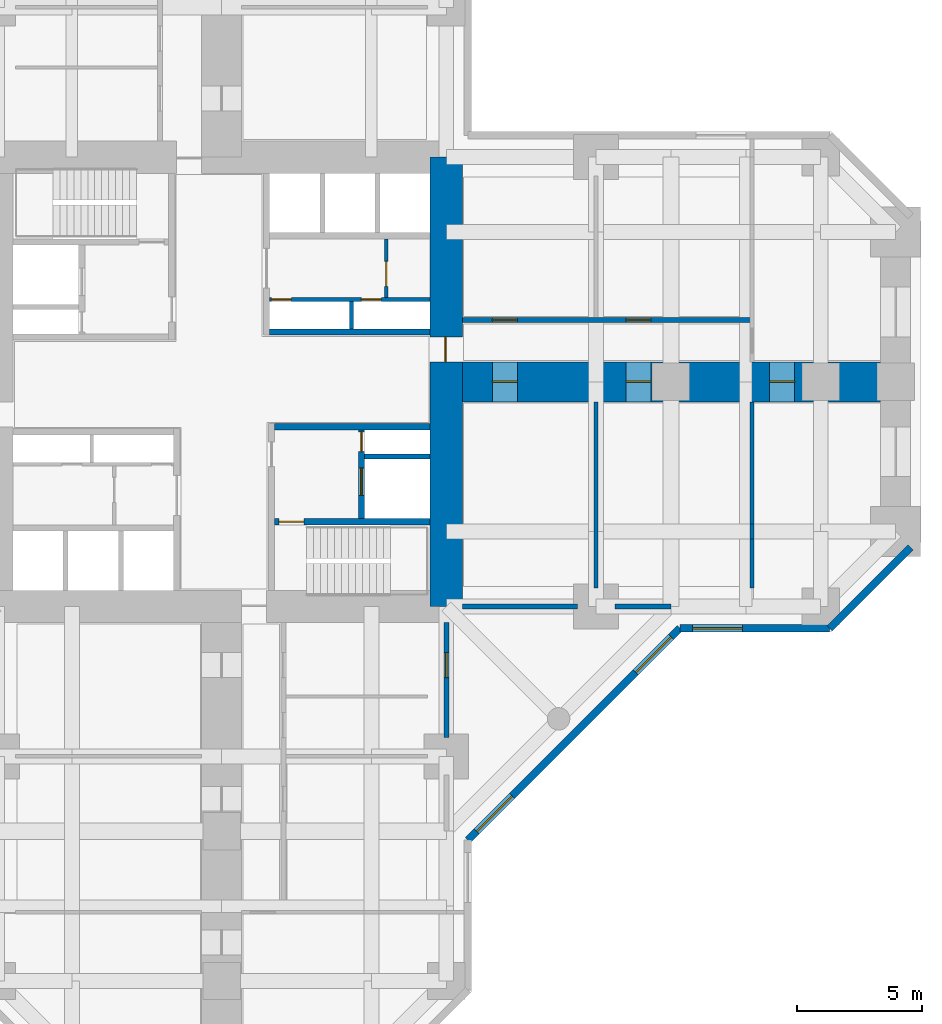
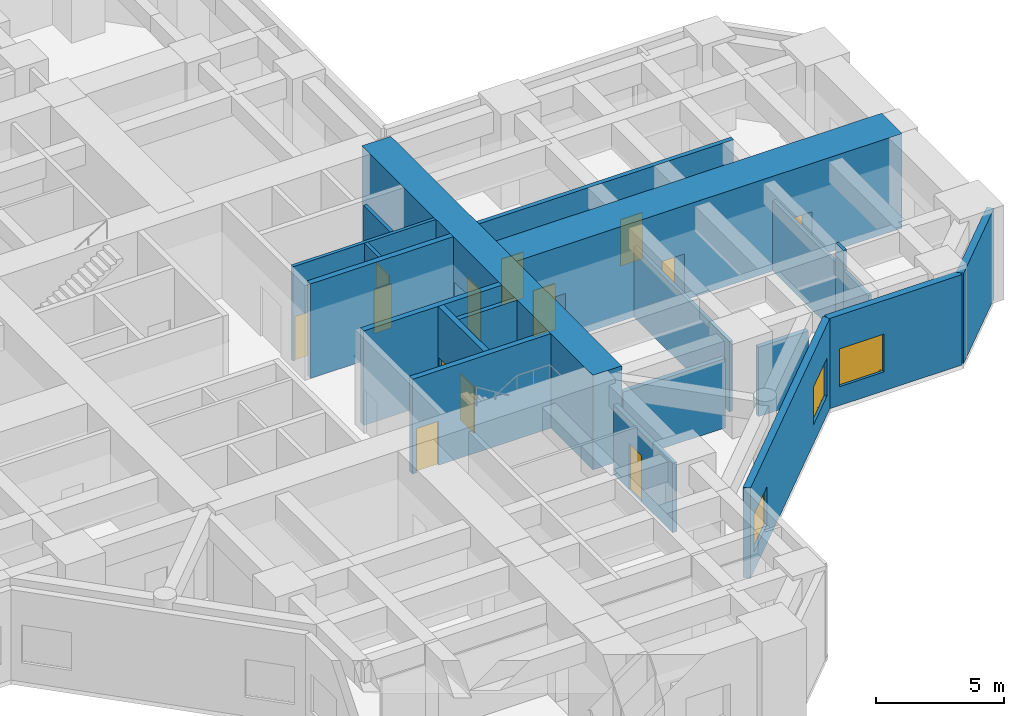
# One storey, part 5 of 8: 21 walls, 13 doors, 3 windows, 16 openings.
"""IFC4 building model written with IfcOpenShell, lengths in metres."""

from ifc_helpers import new_model, si_unit, direction, frame, frame_2d, origin, place, context, subcontext, project, spatial, rectangle, hollow_rectangle, extrude, material, layer, layer_set, constituent, constituent_set, type_object, element, fill, save


model = new_model("IFC4")

# Units and contexts
model_context = context("Model", 3, precision=1e-05, world=origin(), true_north=direction((0.0, 1.0)))
body_context = subcontext(model_context, "Body", "Model", "MODEL_VIEW")
ifc_project = project(units=[si_unit("LENGTHUNIT", "METRE"), si_unit("AREAUNIT", "SQUARE_METRE"), si_unit("VOLUMEUNIT", "CUBIC_METRE"), si_unit("PLANEANGLEUNIT", "RADIAN"), si_unit("MASSUNIT", "GRAM", prefix="KILO")], contexts=[model_context])

# Site, building, storey
site_placement = place(None, origin())
site = spatial("IfcSite", under=ifc_project, at=site_placement, CompositionType="ELEMENT")
building_placement = place(site_placement, origin())
building = spatial("IfcBuilding", under=site, at=building_placement, Name="Torre Cruceta", CompositionType="ELEMENT")
storey_placement = place(building_placement, frame((0.0, 0.0, 9.5)))
storey = spatial("IfcBuildingStorey", under=building, at=storey_placement, Name="L02", CompositionType="ELEMENT", Elevation=9.5)

# Walls
ifc_material_1 = material(Name="Concrete G60 (fck 60 MPa)", Category="concrete")
ifc_layer_1 = layer(ifc_material_1, 0.25)
ifc_layer_set_1 = layer_set([ifc_layer_1], Name="Concrete G60 (fck 60 MPa)")
wall_type_1 = type_object("IfcWallType", Name="CORE INNER WALL 250 G60", PredefinedType="SHEAR", material=ifc_layer_set_1)
wall_1_placement = place(storey_placement, frame((1.925048828125, 2.0, 0.0), z_axis=(0.0, 0.0, 1.0), x_axis=(1.0, 0.0, 0.0)))
element("IfcWall", 1, at=wall_1_placement, inside=storey, type_object=wall_type_1, Name="CW4 L02 NE-CV", PredefinedType="SHEAR", context=body_context, shape_type="SweptSolid", body=[
    extrude(rectangle(XDim=6.425048828125, YDim=0.25, at=frame_2d((3.21240234375, 0.0))), origin(), (0.0, 0.0, 1.0), 4.5),
])
wall_2_placement = place(storey_placement, frame((2.125, -1.800048828125, 0.0), z_axis=(0.0, 0.0, 1.0), x_axis=(1.0, 0.0, 0.0)))
element("IfcWall", 2, at=wall_2_placement, inside=storey, type_object=wall_type_1, Name="CW4 L02 SE-CV", PredefinedType="SHEAR", context=body_context, shape_type="SweptSolid", body=[
    extrude(rectangle(XDim=6.22509765625, YDim=0.25, at=frame_2d((3.112548828125, 0.0))), origin(), (0.0, 0.0, 1.0), 4.5),
])

# Wall, opening, door
wall_3_placement = place(storey_placement, frame((2.125, -5.60009765625, 0.0), z_axis=(0.0, 0.0, 1.0), x_axis=(1.0, 0.0, 0.0)))
wall_3 = element("IfcWall", 3, at=wall_3_placement, inside=storey, type_object=wall_type_1, Name="CW4 L02 SE-SV", PredefinedType="SHEAR", context=body_context, shape_type="SweptSolid", body=[
    extrude(rectangle(XDim=6.22509765625, YDim=0.25, at=frame_2d((3.112548828125, 0.0))), origin(), (0.0, 0.0, 1.0), 4.5),
])
opening_1_placement = place(wall_3_placement, frame((0.175048828125, 0.0, 0.0)))
opening_1 = element("IfcOpeningElement", 4, at=opening_1_placement, cuts=wall_3, Name="Opening D3", PredefinedType="OPENING", context=body_context, shape_type="SweptSolid", body=[
    extrude(rectangle(XDim=1.0, YDim=2.10009765625, at=frame_2d((0.5, 1.050048828125))), frame((0.0, 0.135009765625, 0.0), z_axis=(0.0, -1.0, 0.0), x_axis=(1.0, 0.0, 0.0)), (0.0, 0.0, 1.0), 0.27001953125),
])
ifc_material_2 = material(Name="Steel DX51D", Category="steel")
ifc_constituent_1 = constituent(ifc_material_2, Name="Leaf and frame")
ifc_material_3 = material(Name="Polyester powder coating", Category="paint")
ifc_constituent_2 = constituent(ifc_material_3, Name="Finish")
ifc_constituent_set_1 = constituent_set(constituents=[ifc_constituent_1, ifc_constituent_2], Name="Steel fire door")
door_type_1 = type_object("IfcDoorType", Name="FIRE DOOR 1000X2100", OperationType="SINGLE_SWING_LEFT", PredefinedType="DOOR", material=ifc_constituent_set_1)
door_1_placement = place(opening_1_placement, frame((1.0, 0.0, 0.0), z_axis=(0.0, 0.0, 1.0), x_axis=(-1.0, 0.0, 0.0)))
door_1 = element("IfcDoor", 5, at=door_1_placement, inside=storey, type_object=door_type_1, Name="D3 L02 SE-STAIR", OperationType="SINGLE_SWING_RIGHT", OverallHeight=2.10009765625, OverallWidth=1.0, PredefinedType="DOOR", context=body_context, shape_type="SweptSolid", body=[
    extrude(rectangle(XDim=1.0, YDim=2.10009765625, at=frame_2d((0.5, 1.050048828125))), frame((0.0, 0.025146484375, 0.0), z_axis=(0.0, -1.0, 0.0), x_axis=(1.0, 0.0, 0.0)), (0.0, 0.0, 1.0), 0.050048828125),
])
fill(opening_1, door_1)

# Wall, openings, doors
wall_4_placement = place(storey_placement, frame((5.60009765625, -1.925048828125, 0.0), z_axis=(0.0, 0.0, 1.0), x_axis=(0.0, -1.0, 0.0)))
wall_4 = element("IfcWall", 6, at=wall_4_placement, inside=storey, type_object=wall_type_1, Name="CW4 L02 SE-FU", PredefinedType="SHEAR", context=body_context, shape_type="SweptSolid", body=[
    extrude(rectangle(XDim=3.550048828125, YDim=0.25, at=frame_2d((1.77490234375, 0.0))), origin(), (0.0, 0.0, 1.0), 4.5),
])
opening_2_placement = place(wall_4_placement, frame((1.52490234375, 0.0, 0.0)))
opening_2 = element("IfcOpeningElement", 7, at=opening_2_placement, cuts=wall_4, Name="Opening LD1", PredefinedType="OPENING", context=body_context, shape_type="SweptSolid", body=[
    extrude(rectangle(XDim=1.10009765625, YDim=2.199951171875, at=frame_2d((0.550048828125, 1.10009765625))), frame((0.0, 0.135009765625, 0.0), z_axis=(0.0, -1.0, 0.0), x_axis=(1.0, 0.0, 0.0)), (0.0, 0.0, 1.0), 0.27001953125),
])
opening_3_placement = place(wall_4_placement, frame((0.074951171875, 0.0, 0.0)))
opening_3 = element("IfcOpeningElement", 8, at=opening_3_placement, cuts=wall_4, Name="Opening D5", PredefinedType="OPENING", context=body_context, shape_type="SweptSolid", body=[
    extrude(rectangle(XDim=0.800048828125, YDim=2.10009765625, at=frame_2d((0.39990234375, 1.050048828125))), frame((0.0, 0.135009765625, 0.0), z_axis=(0.0, -1.0, 0.0), x_axis=(1.0, 0.0, 0.0)), (0.0, 0.0, 1.0), 0.27001953125),
])
ifc_material_4 = material(Name="Stainless steel 1.4401", Category="steel")
door_type_2 = type_object("IfcDoorType", Name="LIFT LANDING DOOR 1100X2200", OperationType="DOUBLE_DOOR_SLIDING", PredefinedType="DOOR", material=ifc_material_4)
door_2_placement = place(opening_2_placement, origin())
door_2 = element("IfcDoor", 9, at=door_2_placement, inside=storey, type_object=door_type_2, Name="Lift landing door FL2", OperationType="DOUBLE_DOOR_SLIDING", OverallHeight=2.199951171875, OverallWidth=1.10009765625, PredefinedType="DOOR", context=body_context, shape_type="SweptSolid", body=[
    extrude(rectangle(XDim=1.10009765625, YDim=2.199951171875, at=frame_2d((0.550048828125, 1.10009765625))), frame((0.0, 0.02490234375, 0.0), z_axis=(0.0, -1.0, 0.0), x_axis=(1.0, 0.0, 0.0)), (0.0, 0.0, 1.0), 0.050048828125),
])
fill(opening_2, door_2)
ifc_material_5 = material(Name="Steel DX51D", Category="steel")
ifc_constituent_3 = constituent(ifc_material_5, Name="Leaf and frame")
ifc_material_6 = material(Name="Polyester powder coating", Category="paint")
ifc_constituent_4 = constituent(ifc_material_6, Name="Finish")
ifc_constituent_set_2 = constituent_set(constituents=[ifc_constituent_3, ifc_constituent_4], Name="Steel fire door")
door_type_3 = type_object("IfcDoorType", Name="RISER ACCESS DOOR 800X2100", OperationType="SINGLE_SWING_LEFT", PredefinedType="DOOR", material=ifc_constituent_set_2)
door_3_placement = place(opening_3_placement, origin())
door_3 = element("IfcDoor", 10, at=door_3_placement, inside=storey, type_object=door_type_3, Name="D5 L02 SE-RISER", OperationType="SINGLE_SWING_LEFT", OverallHeight=2.10009765625, OverallWidth=0.800048828125, PredefinedType="DOOR", context=body_context, shape_type="SweptSolid", body=[
    extrude(rectangle(XDim=0.800048828125, YDim=2.10009765625, at=frame_2d((0.39990234375, 1.050048828125))), frame((0.0, 0.02490234375, 0.0), z_axis=(0.0, -1.0, 0.0), x_axis=(1.0, 0.0, 0.0)), (0.0, 0.0, 1.0), 0.050048828125),
])
fill(opening_3, door_3)

# Wall, opening, door
ifc_material_7 = material(Name="Concrete G60 (fck 60 MPa)", Category="concrete")
ifc_layer_2 = layer(ifc_material_7, 1.300048828125)
ifc_layer_set_2 = layer_set([ifc_layer_2], Name="Concrete G60 (fck 60 MPa)")
wall_type_2 = type_object("IfcWallType", Name="CORE WALL 1300 G60", PredefinedType="SHEAR", material=ifc_layer_set_2)
wall_5_placement = place(storey_placement, frame((9.0, -9.0, 0.0), z_axis=(0.0, 0.0, 1.0), x_axis=(0.0, 1.0, 0.0)))
wall_5 = element("IfcWall", 11, at=wall_5_placement, inside=storey, type_object=wall_type_2, Name="CW1 L02 CW-E", PredefinedType="SHEAR", context=body_context, shape_type="SweptSolid", body=[
    extrude(rectangle(XDim=18.0, YDim=1.300048828125, at=frame_2d((9.0, 0.0))), origin(), (0.0, 0.0, 1.0), 4.5),
])
opening_4_placement = place(wall_5_placement, frame((9.800048828125, 0.0, 0.0)))
opening_4 = element("IfcOpeningElement", 12, at=opening_4_placement, cuts=wall_5, Name="Opening D4", PredefinedType="OPENING", context=body_context, shape_type="SweptSolid", body=[
    extrude(rectangle(XDim=1.0, YDim=2.39990234375, at=frame_2d((0.5, 1.199951171875))), frame((0.0, 0.659912109375, 0.0), z_axis=(0.0, -1.0, 0.0), x_axis=(1.0, 0.0, 0.0)), (0.0, 0.0, 1.0), 1.320068359375),
])
ifc_material_8 = material(Name="Steel DX51D", Category="steel")
ifc_constituent_5 = constituent(ifc_material_8, Name="Leaf and frame")
ifc_material_9 = material(Name="Polyester powder coating", Category="paint")
ifc_constituent_6 = constituent(ifc_material_9, Name="Finish")
ifc_constituent_set_3 = constituent_set(constituents=[ifc_constituent_5, ifc_constituent_6], Name="Steel fire door")
door_type_4 = type_object("IfcDoorType", Name="CORE ARM DOOR 1000X2400", OperationType="SINGLE_SWING_RIGHT", PredefinedType="DOOR", material=ifc_constituent_set_3)
door_4_placement = place(opening_4_placement, origin())
door_4 = element("IfcDoor", 13, at=door_4_placement, inside=storey, type_object=door_type_4, Name="D4 L02 CW-E", OperationType="SINGLE_SWING_RIGHT", OverallHeight=2.39990234375, OverallWidth=1.0, PredefinedType="DOOR", context=body_context, shape_type="SweptSolid", body=[
    extrude(rectangle(XDim=1.0, YDim=2.39990234375, at=frame_2d((0.5, 1.199951171875))), frame((0.0, 0.05517578125, 0.0), z_axis=(0.0, -1.0, 0.0), x_axis=(1.0, 0.0, 0.0)), (0.0, 0.0, 1.0), 0.050048828125),
])
fill(opening_4, door_4)

# Wall, openings, doors
ifc_material_10 = material(Name="Concrete G25 (fck 25 MPa)", Category="concrete")
ifc_layer_3 = layer(ifc_material_10, 0.199951171875)
ifc_layer_set_3 = layer_set([ifc_layer_3], Name="Concrete G25 (fck 25 MPa)")
wall_type_3 = type_object("IfcWallType", Name="CORRIDOR WALL 200", PredefinedType="SOLIDWALL", material=ifc_layer_set_3)
wall_6_placement = place(storey_placement, frame((9.64990234375, 2.47509765625, 0.0), z_axis=(0.0, 0.0, 1.0), x_axis=(1.0, 0.0, 0.0)))
wall_6 = element("IfcWall", 14, at=wall_6_placement, inside=storey, type_object=wall_type_3, Name="PT3 L02-E-CL", PredefinedType="SOLIDWALL", context=body_context, shape_type="SweptSolid", body=[
    extrude(rectangle(XDim=11.60009765625, YDim=0.199951171875, at=frame_2d((5.800048828125, 0.0))), origin(), (0.0, 0.0, 1.0), 4.300048828125),
])
opening_5_placement = place(wall_6_placement, frame((1.199951171875, 0.0, 0.0)))
opening_5 = element("IfcOpeningElement", 15, at=opening_5_placement, cuts=wall_6, Name="Opening D14", PredefinedType="OPENING", context=body_context, shape_type="SweptSolid", body=[
    extrude(rectangle(XDim=1.0, YDim=2.199951171875, at=frame_2d((0.5, 1.10009765625))), frame((0.0, 0.10986328125, 0.0), z_axis=(0.0, -1.0, 0.0), x_axis=(1.0, 0.0, 0.0)), (0.0, 0.0, 1.0), 0.219970703125),
])
opening_6_placement = place(wall_6_placement, frame((6.550048828125, 0.0, 0.0)))
opening_6 = element("IfcOpeningElement", 16, at=opening_6_placement, cuts=wall_6, Name="Opening D14", PredefinedType="OPENING", context=body_context, shape_type="SweptSolid", body=[
    extrude(rectangle(XDim=1.0, YDim=2.199951171875, at=frame_2d((0.5, 1.10009765625))), frame((0.0, 0.10986328125, 0.0), z_axis=(0.0, -1.0, 0.0), x_axis=(1.0, 0.0, 0.0)), (0.0, 0.0, 1.0), 0.219970703125),
])
ifc_material_11 = material(Name="Steel DX51D", Category="steel")
ifc_constituent_7 = constituent(ifc_material_11, Name="Leaf and frame")
ifc_material_12 = material(Name="Polyester powder coating", Category="paint")
ifc_constituent_8 = constituent(ifc_material_12, Name="Finish")
ifc_material_13 = material(Name="Fire-resisting glass", Category="glass")
ifc_constituent_9 = constituent(ifc_material_13, Name="Vision panel")
ifc_constituent_set_4 = constituent_set(constituents=[ifc_constituent_7, ifc_constituent_8, ifc_constituent_9], Name="Steel fire door with vision panel")
door_type_5 = type_object("IfcDoorType", Name="FIRE DOOR VISION PANEL 1000X2200", OperationType="SINGLE_SWING_RIGHT", PredefinedType="DOOR", material=ifc_constituent_set_4)
door_5_placement = place(opening_5_placement, origin())
door_5 = element("IfcDoor", 17, at=door_5_placement, inside=storey, type_object=door_type_5, Name="D14 L02-E-CL-D1", OperationType="SINGLE_SWING_LEFT", OverallHeight=2.199951171875, OverallWidth=1.0, PredefinedType="DOOR", context=body_context, shape_type="SweptSolid", body=[
    extrude(rectangle(XDim=1.0, YDim=2.199951171875, at=frame_2d((0.5, 1.10009765625))), frame((0.0, 0.02490234375, 0.0), z_axis=(0.0, -1.0, 0.0), x_axis=(1.0, 0.0, 0.0)), (0.0, 0.0, 1.0), 0.050048828125),
])
fill(opening_5, door_5)
door_6_placement = place(opening_6_placement, origin())
door_6 = element("IfcDoor", 18, at=door_6_placement, inside=storey, type_object=door_type_5, Name="D14 L02-E-CL-D2", OperationType="SINGLE_SWING_LEFT", OverallHeight=2.199951171875, OverallWidth=1.0, PredefinedType="DOOR", context=body_context, shape_type="SweptSolid", body=[
    extrude(rectangle(XDim=1.0, YDim=2.199951171875, at=frame_2d((0.5, 1.10009765625))), frame((0.0, 0.02490234375, 0.0), z_axis=(0.0, -1.0, 0.0), x_axis=(1.0, 0.0, 0.0)), (0.0, 0.0, 1.0), 0.050048828125),
])
fill(opening_6, door_6)

# Wall, opening, window
ifc_material_14 = material(Name="Concrete G30 (fck 30 MPa)", Category="concrete")
ifc_layer_4 = layer(ifc_material_14, 0.300048828125)
ifc_layer_set_4 = layer_set([ifc_layer_4], Name="Concrete G30 (fck 30 MPa)")
wall_type_4 = type_object("IfcWallType", Name="EXPOSED CONCRETE FACADE WALL 300", PredefinedType="SOLIDWALL", material=ifc_layer_set_4)
wall_7_placement = place(storey_placement, frame((18.3603515625, -9.8701171875, 0.0), z_axis=(0.0, 0.0, 1.0), x_axis=(1.0, 0.0, 0.0)))
wall_7 = element("IfcWall", 19, at=wall_7_placement, inside=storey, type_object=wall_type_4, Name="EW1 facade wall L02 E side 00", PredefinedType="SOLIDWALL", context=body_context, shape_type="SweptSolid", body=[
    extrude(rectangle(XDim=6.0, YDim=0.300048828125, at=frame_2d((3.0, 0.0))), origin(), (0.0, 0.0, 1.0), 4.300048828125),
])
opening_7_placement = place(wall_7_placement, frame((0.5, 0.0, 0.89990234375)))
opening_7 = element("IfcOpeningElement", 20, at=opening_7_placement, cuts=wall_7, Name="Opening WN1", PredefinedType="OPENING", context=body_context, shape_type="SweptSolid", body=[
    extrude(rectangle(XDim=2.0, YDim=1.800048828125, at=frame_2d((1.0, 0.89990234375))), frame((0.0, 0.159912109375, 0.0), z_axis=(0.0, -1.0, 0.0), x_axis=(1.0, 0.0, 0.0)), (0.0, 0.0, 1.0), 0.320068359375),
])
ifc_material_15 = material(Name="Aluminium window frame", Category="aluminium")
ifc_constituent_10 = constituent(ifc_material_15, Name="Frame")
ifc_material_16 = material(Name="Laminated insulating glass unit, low-iron clear", Category="glass")
ifc_constituent_11 = constituent(ifc_material_16, Name="Glazing")
ifc_constituent_set_5 = constituent_set(constituents=[ifc_constituent_10, ifc_constituent_11], Name="Aluminium window")
window_type = type_object("IfcWindowType", Name="SCHOOL WINDOW 2000X1800", PartitioningType="SINGLE_PANEL", PredefinedType="WINDOW", material=ifc_constituent_set_5)
window_1_placement = place(opening_7_placement, origin())
window_1 = element("IfcWindow", 21, at=window_1_placement, inside=storey, type_object=window_type, Name="WN1 L02 E 1", OverallHeight=1.800048828125, OverallWidth=2.0, PartitioningType="SINGLE_PANEL", PredefinedType="WINDOW", context=body_context, shape_type="SweptSolid", body=[
    extrude(hollow_rectangle(XDim=2.0, YDim=1.800048828125, WallThickness=0.06005859375, at=frame_2d((1.0, 0.89990234375))), frame((0.0, 0.030029296875, 0.0), z_axis=(0.0, -1.0, 0.0), x_axis=(1.0, 0.0, 0.0)), (0.0, 0.0, 1.0), 0.06005859375),
    extrude(rectangle(XDim=1.87890625, YDim=1.678955078125, at=frame_2d((1.0, 0.89990234375))), frame((0.0, 0.030029296875, 0.0), z_axis=(0.0, -1.0, 0.0), x_axis=(1.0, 0.0, 0.0)), (0.0, 0.0, 1.0), 0.06005859375),
])
fill(opening_7, window_1)

# Wall
wall_8_placement = place(storey_placement, frame((24.3603515625, -9.8701171875, 0.0), z_axis=(0.0, 0.0, 1.0), x_axis=(0.707106781187, 0.707106781187, 0.0)))
element("IfcWall", 22, at=wall_8_placement, inside=storey, type_object=wall_type_4, Name="EW1 facade wall L02 E chamfer 01", PredefinedType="SOLIDWALL", context=body_context, shape_type="SweptSolid", body=[
    extrude(rectangle(XDim=4.581787109375, YDim=0.300048828125, at=frame_2d((2.291015625, 0.0))), origin(), (0.0, 0.0, 1.0), 4.300048828125),
])

# Wall, openings, windows
wall_9_placement = place(storey_placement, frame((9.8701171875, -18.3603515625, 0.0), z_axis=(0.0, 0.0, 1.0), x_axis=(0.707106781187, 0.707106781187, 0.0)))
wall_9 = element("IfcWall", 23, at=wall_9_placement, inside=storey, type_object=wall_type_4, Name="EW1 facade wall L02 S wing 21", PredefinedType="SOLIDWALL", context=body_context, shape_type="SweptSolid", body=[
    extrude(rectangle(XDim=12.007080078125, YDim=0.300048828125, at=frame_2d((6.00341796875, 0.0))), origin(), (0.0, 0.0, 1.0), 4.300048828125),
])
opening_8_placement = place(wall_9_placement, frame((0.5009765625, 0.0, 0.89990234375)))
opening_8 = element("IfcOpeningElement", 24, at=opening_8_placement, cuts=wall_9, Name="Opening WN1", PredefinedType="OPENING", context=body_context, shape_type="SweptSolid", body=[
    extrude(rectangle(XDim=2.0, YDim=1.800048828125, at=frame_2d((1.0, 0.89990234375))), frame((0.0, 0.159912109375, 0.0), z_axis=(0.0, -1.0, 0.0), x_axis=(1.0, 0.0, 0.0)), (0.0, 0.0, 1.0), 0.320068359375),
])
opening_9_placement = place(wall_9_placement, frame((9.50634765625, 0.0, 0.89990234375)))
opening_9 = element("IfcOpeningElement", 25, at=opening_9_placement, cuts=wall_9, Name="Opening WN1", PredefinedType="OPENING", context=body_context, shape_type="SweptSolid", body=[
    extrude(rectangle(XDim=2.0, YDim=1.800048828125, at=frame_2d((1.0, 0.89990234375))), frame((0.0, 0.159912109375, 0.0), z_axis=(0.0, -1.0, 0.0), x_axis=(1.0, 0.0, 0.0)), (0.0, 0.0, 1.0), 0.320068359375),
])
window_2_placement = place(opening_8_placement, origin())
window_2 = element("IfcWindow", 26, at=window_2_placement, inside=storey, type_object=window_type, Name="WN1 L02 S 1", OverallHeight=1.800048828125, OverallWidth=2.0, PartitioningType="SINGLE_PANEL", PredefinedType="WINDOW", context=body_context, shape_type="SweptSolid", body=[
    extrude(hollow_rectangle(XDim=2.0, YDim=1.800048828125, WallThickness=0.06005859375, at=frame_2d((1.0, 0.89990234375))), frame((0.0, 0.030029296875, 0.0), z_axis=(0.0, -1.0, 0.0), x_axis=(1.0, 0.0, 0.0)), (0.0, 0.0, 1.0), 0.06005859375),
    extrude(rectangle(XDim=1.87890625, YDim=1.678955078125, at=frame_2d((1.0, 0.89990234375))), frame((0.0, 0.030029296875, 0.0), z_axis=(0.0, -1.0, 0.0), x_axis=(1.0, 0.0, 0.0)), (0.0, 0.0, 1.0), 0.06005859375),
])
fill(opening_8, window_2)
window_3_placement = place(opening_9_placement, origin())
window_3 = element("IfcWindow", 27, at=window_3_placement, inside=storey, type_object=window_type, Name="WN1 L02 S 4", OverallHeight=1.800048828125, OverallWidth=2.0, PartitioningType="SINGLE_PANEL", PredefinedType="WINDOW", context=body_context, shape_type="SweptSolid", body=[
    extrude(hollow_rectangle(XDim=2.0, YDim=1.800048828125, WallThickness=0.06005859375, at=frame_2d((1.0, 0.89990234375))), frame((0.0, 0.030029296875, 0.0), z_axis=(0.0, -1.0, 0.0), x_axis=(1.0, 0.0, 0.0)), (0.0, 0.0, 1.0), 0.06005859375),
    extrude(rectangle(XDim=1.87890625, YDim=1.678955078125, at=frame_2d((1.0, 0.89990234375))), frame((0.0, 0.030029296875, 0.0), z_axis=(0.0, -1.0, 0.0), x_axis=(1.0, 0.0, 0.0)), (0.0, 0.0, 1.0), 0.06005859375),
])
fill(opening_9, window_3)

# Wall
ifc_material_17 = material(Name="Concrete G35 (fck 35 MPa)", Category="concrete")
ifc_layer_5 = layer(ifc_material_17, 0.199951171875)
ifc_layer_set_5 = layer_set([ifc_layer_5], Name="Concrete G35 (fck 35 MPa)")
wall_type_5 = type_object("IfcWallType", Name="LIFT SHAFT WALL 200", PredefinedType="PARTITIONING", material=ifc_layer_set_5)
wall_10_placement = place(storey_placement, frame((5.72509765625, -3.0, 0.0), z_axis=(0.0, 0.0, 1.0), x_axis=(1.0, 0.0, 0.0)))
element("IfcWall", 28, at=wall_10_placement, inside=storey, type_object=wall_type_5, Name="SW1 L02 SE-FR", PredefinedType="PARTITIONING", context=body_context, shape_type="SweptSolid", body=[
    extrude(rectangle(XDim=2.625, YDim=0.199951171875, at=frame_2d((1.3125, 0.0))), origin(), (0.0, 0.0, 1.0), 4.5),
])

# Wall, opening, door
ifc_material_18 = material(Name="Plasterboard on steel studs", Category="steel")
ifc_layer_6 = layer(ifc_material_18, 0.14990234375)
ifc_layer_set_6 = layer_set([ifc_layer_6], Name="Plasterboard on steel studs")
wall_type_6 = type_object("IfcWallType", Name="PARTITION 150", PredefinedType="PARTITIONING", material=ifc_layer_set_6)
wall_11_placement = place(storey_placement, frame((6.60009765625, 3.375, 0.0), z_axis=(0.0, 0.0, 1.0), x_axis=(0.0, 1.0, 0.0)))
wall_11 = element("IfcWall", 29, at=wall_11_placement, inside=storey, type_object=wall_type_6, Name="PT1 L02-CORE-NE-X", PredefinedType="PARTITIONING", context=body_context, shape_type="SweptSolid", body=[
    extrude(rectangle(XDim=2.35009765625, YDim=0.14990234375, at=frame_2d((1.175048828125, 0.0))), origin(), (0.0, 0.0, 1.0), 4.300048828125),
])
opening_10_placement = place(wall_11_placement, frame((0.449951171875, 0.0, 0.0)))
opening_10 = element("IfcOpeningElement", 30, at=opening_10_placement, cuts=wall_11, Name="Opening D3", PredefinedType="OPENING", context=body_context, shape_type="SweptSolid", body=[
    extrude(rectangle(XDim=1.0, YDim=2.10009765625, at=frame_2d((0.5, 1.050048828125))), frame((0.0, 0.0849609375, 0.0), z_axis=(0.0, -1.0, 0.0), x_axis=(1.0, 0.0, 0.0)), (0.0, 0.0, 1.0), 0.169921875),
])
door_7_placement = place(opening_10_placement, frame((1.0, 0.0, 0.0), z_axis=(0.0, 0.0, 1.0), x_axis=(-1.0, 0.0, 0.0)))
door_7 = element("IfcDoor", 31, at=door_7_placement, inside=storey, type_object=door_type_1, Name="D3 L02-CORE-NE-X-D1", OperationType="SINGLE_SWING_RIGHT", OverallHeight=2.10009765625, OverallWidth=1.0, PredefinedType="DOOR", context=body_context, shape_type="SweptSolid", body=[
    extrude(rectangle(XDim=1.0, YDim=2.10009765625, at=frame_2d((0.5, 1.050048828125))), frame((0.0, 0.025146484375, 0.0), z_axis=(0.0, -1.0, 0.0), x_axis=(1.0, 0.0, 0.0)), (0.0, 0.0, 1.0), 0.050048828125),
])
fill(opening_10, door_7)

# Walls
wall_12_placement = place(storey_placement, frame((15.0, -8.25, 0.0), z_axis=(0.0, 0.0, 1.0), x_axis=(0.0, 1.0, 0.0)))
element("IfcWall", 32, at=wall_12_placement, inside=storey, type_object=wall_type_6, Name="PT1 L02-E-P1R", PredefinedType="PARTITIONING", context=body_context, shape_type="SweptSolid", body=[
    extrude(rectangle(XDim=7.449951171875, YDim=0.14990234375, at=frame_2d((3.72509765625, 0.0))), origin(), (0.0, 0.0, 1.0), 3.35009765625),
])
wall_13_placement = place(storey_placement, frame((21.25, -8.25, 0.0), z_axis=(0.0, 0.0, 1.0), x_axis=(0.0, 1.0, 0.0)))
element("IfcWall", 33, at=wall_13_placement, inside=storey, type_object=wall_type_6, Name="PT1 L02-E-ENDa", PredefinedType="PARTITIONING", context=body_context, shape_type="SweptSolid", body=[
    extrude(rectangle(XDim=1.949951171875, YDim=0.14990234375, at=frame_2d((0.97509765625, 0.0))), origin(), (0.0, 0.0, 1.0), 3.35009765625),
])
wall_14_placement = place(storey_placement, frame((21.25, -6.300048828125, 0.0), z_axis=(0.0, 0.0, 1.0), x_axis=(0.0, 1.0, 0.0)))
element("IfcWall", 34, at=wall_14_placement, inside=storey, type_object=wall_type_6, Name="PT1 L02-E-ENDa 2", PredefinedType="PARTITIONING", context=body_context, shape_type="SweptSolid", body=[
    extrude(rectangle(XDim=0.60009765625, YDim=0.14990234375, at=frame_2d((0.300048828125, 0.0))), origin(), (0.0, 0.0, 1.0), 4.300048828125),
])
wall_15_placement = place(storey_placement, frame((21.25, -5.699951171875, 0.0), z_axis=(0.0, 0.0, 1.0), x_axis=(0.0, 1.0, 0.0)))
element("IfcWall", 35, at=wall_15_placement, inside=storey, type_object=wall_type_6, Name="PT1 L02-E-ENDa 3", PredefinedType="PARTITIONING", context=body_context, shape_type="SweptSolid", body=[
    extrude(rectangle(XDim=4.89990234375, YDim=0.14990234375, at=frame_2d((2.449951171875, 0.0))), origin(), (0.0, 0.0, 1.0), 3.35009765625),
])

# Wall, openings, doors
ifc_material_19 = material(Name="Concrete block masonry", Category="masonry")
ifc_layer_7 = layer(ifc_material_19, 0.14990234375)
ifc_layer_set_7 = layer_set([ifc_layer_7], Name="Concrete block masonry")
wall_type_7 = type_object("IfcWallType", Name="RISER WALL 150", PredefinedType="PARTITIONING", material=ifc_layer_set_7)
wall_16_placement = place(storey_placement, frame((1.925048828125, 3.300048828125, 0.0), z_axis=(0.0, 0.0, 1.0), x_axis=(1.0, 0.0, 0.0)))
wall_16 = element("IfcWall", 36, at=wall_16_placement, inside=storey, type_object=wall_type_7, Name="SW7 L02 NE-RV", PredefinedType="PARTITIONING", context=body_context, shape_type="SweptSolid", body=[
    extrude(rectangle(XDim=6.425048828125, YDim=0.14990234375, at=frame_2d((3.21240234375, 0.0))), origin(), (0.0, 0.0, 1.0), 4.5),
])
opening_11_placement = place(wall_16_placement, frame((0.074951171875, 0.0, 0.0)))
opening_11 = element("IfcOpeningElement", 37, at=opening_11_placement, cuts=wall_16, Name="Opening D5", PredefinedType="OPENING", context=body_context, shape_type="SweptSolid", body=[
    extrude(rectangle(XDim=0.800048828125, YDim=2.10009765625, at=frame_2d((0.39990234375, 1.050048828125))), frame((0.0, 0.0849609375, 0.0), z_axis=(0.0, -1.0, 0.0), x_axis=(1.0, 0.0, 0.0)), (0.0, 0.0, 1.0), 0.169921875),
])
opening_12_placement = place(wall_16_placement, frame((3.675048828125, 0.0, 0.0)))
opening_12 = element("IfcOpeningElement", 38, at=opening_12_placement, cuts=wall_16, Name="Opening D5", PredefinedType="OPENING", context=body_context, shape_type="SweptSolid", body=[
    extrude(rectangle(XDim=0.800048828125, YDim=2.10009765625, at=frame_2d((0.39990234375, 1.050048828125))), frame((0.0, 0.0849609375, 0.0), z_axis=(0.0, -1.0, 0.0), x_axis=(1.0, 0.0, 0.0)), (0.0, 0.0, 1.0), 0.169921875),
])
door_8_placement = place(opening_11_placement, frame((0.800048828125, 0.0, 0.0), z_axis=(0.0, 0.0, 1.0), x_axis=(-1.0, 0.0, 0.0)))
door_8 = element("IfcDoor", 39, at=door_8_placement, inside=storey, type_object=door_type_3, Name="D5 L02 NE-RISER1", OperationType="SINGLE_SWING_RIGHT", OverallHeight=2.10009765625, OverallWidth=0.800048828125, PredefinedType="DOOR", context=body_context, shape_type="SweptSolid", body=[
    extrude(rectangle(XDim=0.800048828125, YDim=2.10009765625, at=frame_2d((0.400146484375, 1.050048828125))), frame((0.0, 0.025146484375, 0.0), z_axis=(0.0, -1.0, 0.0), x_axis=(1.0, 0.0, 0.0)), (0.0, 0.0, 1.0), 0.050048828125),
])
fill(opening_11, door_8)
door_9_placement = place(opening_12_placement, frame((0.800048828125, 0.0, 0.0), z_axis=(0.0, 0.0, 1.0), x_axis=(-1.0, 0.0, 0.0)))
door_9 = element("IfcDoor", 40, at=door_9_placement, inside=storey, type_object=door_type_3, Name="D5 L02 NE-RISER2", OperationType="SINGLE_SWING_RIGHT", OverallHeight=2.10009765625, OverallWidth=0.800048828125, PredefinedType="DOOR", context=body_context, shape_type="SweptSolid", body=[
    extrude(rectangle(XDim=0.800048828125, YDim=2.10009765625, at=frame_2d((0.400146484375, 1.050048828125))), frame((0.0, 0.025146484375, 0.0), z_axis=(0.0, -1.0, 0.0), x_axis=(1.0, 0.0, 0.0)), (0.0, 0.0, 1.0), 0.050048828125),
])
fill(opening_12, door_9)

# Wall
wall_17_placement = place(storey_placement, frame((5.199951171875, 2.125, 0.0), z_axis=(0.0, 0.0, 1.0), x_axis=(0.0, 1.0, 0.0)))
element("IfcWall", 41, at=wall_17_placement, inside=storey, type_object=wall_type_7, Name="SW7 L02 NE-RU", PredefinedType="PARTITIONING", context=body_context, shape_type="SweptSolid", body=[
    extrude(rectangle(XDim=1.10009765625, YDim=0.14990234375, at=frame_2d((0.550048828125, 0.0))), origin(), (0.0, 0.0, 1.0), 4.5),
])

# Wall, openings, doors
ifc_material_20 = material(Name="Concrete G60 (fck 60 MPa)", Category="concrete")
ifc_layer_8 = layer(ifc_material_20, 1.60009765625)
ifc_layer_set_8 = layer_set([ifc_layer_8], Name="Concrete G60 (fck 60 MPa)")
wall_type_8 = type_object("IfcWallType", Name="SPINE WALL 1600 G60", PredefinedType="SHEAR", material=ifc_layer_set_8)
wall_18_placement = place(storey_placement, frame((9.0, 0.0, 0.0), z_axis=(0.0, 0.0, 1.0), x_axis=(1.0, 0.0, 0.0)))
wall_18 = element("IfcWall", 42, at=wall_18_placement, inside=storey, type_object=wall_type_8, Name="SW2 spine wall L02 E", PredefinedType="SHEAR", context=body_context, shape_type="SweptSolid", body=[
    extrude(rectangle(XDim=18.0, YDim=1.60009765625, at=frame_2d((9.0, 0.0))), origin(), (0.0, 0.0, 1.0), 4.5),
])
opening_13_placement = place(wall_18_placement, frame((1.85009765625, 0.0, 0.0)))
opening_13 = element("IfcOpeningElement", 43, at=opening_13_placement, cuts=wall_18, Name="Opening D14", PredefinedType="OPENING", context=body_context, shape_type="SweptSolid", body=[
    extrude(rectangle(XDim=1.0, YDim=2.199951171875, at=frame_2d((0.5, 1.10009765625))), frame((0.0, 0.81005859375, 0.0), z_axis=(0.0, -1.0, 0.0), x_axis=(1.0, 0.0, 0.0)), (0.0, 0.0, 1.0), 1.6201171875),
])
opening_14_placement = place(wall_18_placement, frame((7.199951171875, 0.0, 0.0)))
opening_14 = element("IfcOpeningElement", 44, at=opening_14_placement, cuts=wall_18, Name="Opening D14", PredefinedType="OPENING", context=body_context, shape_type="SweptSolid", body=[
    extrude(rectangle(XDim=1.0, YDim=2.199951171875, at=frame_2d((0.5, 1.10009765625))), frame((0.0, 0.81005859375, 0.0), z_axis=(0.0, -1.0, 0.0), x_axis=(1.0, 0.0, 0.0)), (0.0, 0.0, 1.0), 1.6201171875),
])
opening_15_placement = place(wall_18_placement, frame((12.949951171875, 0.0, 0.0)))
opening_15 = element("IfcOpeningElement", 45, at=opening_15_placement, cuts=wall_18, Name="Opening D14", PredefinedType="OPENING", context=body_context, shape_type="SweptSolid", body=[
    extrude(rectangle(XDim=1.0, YDim=2.199951171875, at=frame_2d((0.5, 1.10009765625))), frame((0.0, 0.81005859375, 0.0), z_axis=(0.0, -1.0, 0.0), x_axis=(1.0, 0.0, 0.0)), (0.0, 0.0, 1.0), 1.6201171875),
])
door_10_placement = place(opening_13_placement, frame((1.0, 0.0, 0.0), z_axis=(0.0, 0.0, 1.0), x_axis=(-1.0, 0.0, 0.0)))
door_10 = element("IfcDoor", 46, at=door_10_placement, inside=storey, type_object=door_type_5, Name="D14 L02-E-SP1", OperationType="SINGLE_SWING_RIGHT", OverallHeight=2.199951171875, OverallWidth=1.0, PredefinedType="DOOR", context=body_context, shape_type="SweptSolid", body=[
    extrude(rectangle(XDim=1.0, YDim=2.199951171875, at=frame_2d((0.5, 1.10009765625))), frame((0.0, 0.025146484375, 0.0), z_axis=(0.0, -1.0, 0.0), x_axis=(1.0, 0.0, 0.0)), (0.0, 0.0, 1.0), 0.050048828125),
])
fill(opening_13, door_10)
door_11_placement = place(opening_14_placement, frame((1.0, 0.0, 0.0), z_axis=(0.0, 0.0, 1.0), x_axis=(-1.0, 0.0, 0.0)))
door_11 = element("IfcDoor", 47, at=door_11_placement, inside=storey, type_object=door_type_5, Name="D14 L02-E-SP2", OperationType="SINGLE_SWING_RIGHT", OverallHeight=2.199951171875, OverallWidth=1.0, PredefinedType="DOOR", context=body_context, shape_type="SweptSolid", body=[
    extrude(rectangle(XDim=1.0, YDim=2.199951171875, at=frame_2d((0.5, 1.10009765625))), frame((0.0, 0.025146484375, 0.0), z_axis=(0.0, -1.0, 0.0), x_axis=(1.0, 0.0, 0.0)), (0.0, 0.0, 1.0), 0.050048828125),
])
fill(opening_14, door_11)
door_12_placement = place(opening_15_placement, origin())
door_12 = element("IfcDoor", 48, at=door_12_placement, inside=storey, type_object=door_type_5, Name="D14 L02-E-SP3", OperationType="SINGLE_SWING_RIGHT", OverallHeight=2.199951171875, OverallWidth=1.0, PredefinedType="DOOR", context=body_context, shape_type="SweptSolid", body=[
    extrude(rectangle(XDim=1.0, YDim=2.199951171875, at=frame_2d((0.5, 1.10009765625))), frame((0.0, 0.02490234375, 0.0), z_axis=(0.0, -1.0, 0.0), x_axis=(1.0, 0.0, 0.0)), (0.0, 0.0, 1.0), 0.050048828125),
])
fill(opening_15, door_12)

# Wall, opening, door
ifc_material_21 = material(Name="Concrete G25 (fck 25 MPa)", Category="concrete")
ifc_layer_9 = layer(ifc_material_21, 0.199951171875)
ifc_layer_set_9 = layer_set([ifc_layer_9], Name="Concrete G25 (fck 25 MPa)")
wall_type_9 = type_object("IfcWallType", Name="WING SEPARATING WALL 200", PredefinedType="SOLIDWALL", material=ifc_layer_set_9)
wall_19_placement = place(storey_placement, frame((9.0, -9.64990234375, 0.0), z_axis=(0.0, 0.0, 1.0), x_axis=(0.0, -1.0, 0.0)))
wall_19 = element("IfcWall", 49, at=wall_19_placement, inside=storey, type_object=wall_type_9, Name="PT6 L02-WING-S-A1", PredefinedType="SOLIDWALL", context=body_context, shape_type="SweptSolid", body=[
    extrude(rectangle(XDim=4.60009765625, YDim=0.199951171875, at=frame_2d((2.300048828125, 0.0))), origin(), (0.0, 0.0, 1.0), 3.300048828125),
])
opening_16_placement = place(wall_19_placement, frame((1.199951171875, 0.0, 0.0)))
opening_16 = element("IfcOpeningElement", 50, at=opening_16_placement, cuts=wall_19, Name="Opening D14", PredefinedType="OPENING", context=body_context, shape_type="SweptSolid", body=[
    extrude(rectangle(XDim=1.0, YDim=2.199951171875, at=frame_2d((0.5, 1.10009765625))), frame((0.0, 0.10986328125, 0.0), z_axis=(0.0, -1.0, 0.0), x_axis=(1.0, 0.0, 0.0)), (0.0, 0.0, 1.0), 0.219970703125),
])
door_13_placement = place(opening_16_placement, origin())
door_13 = element("IfcDoor", 51, at=door_13_placement, inside=storey, type_object=door_type_5, Name="D14 L02-WING-S-A1-D1", OperationType="SINGLE_SWING_LEFT", OverallHeight=2.199951171875, OverallWidth=1.0, PredefinedType="DOOR", context=body_context, shape_type="SweptSolid", body=[
    extrude(rectangle(XDim=1.0, YDim=2.199951171875, at=frame_2d((0.5, 1.10009765625))), frame((0.0, 0.02490234375, 0.0), z_axis=(0.0, -1.0, 0.0), x_axis=(1.0, 0.0, 0.0)), (0.0, 0.0, 1.0), 0.050048828125),
])
fill(opening_16, door_13)

# Walls
wall_20_placement = place(storey_placement, frame((14.25, -9.0, 0.0), z_axis=(0.0, 0.0, 1.0), x_axis=(-1.0, 0.0, 0.0)))
element("IfcWall", 52, at=wall_20_placement, inside=storey, type_object=wall_type_9, Name="PT6 L02-WING-S-B1", PredefinedType="SOLIDWALL", context=body_context, shape_type="SweptSolid", body=[
    extrude(rectangle(XDim=4.60009765625, YDim=0.199951171875, at=frame_2d((2.300048828125, 0.0))), origin(), (0.0, 0.0, 1.0), 3.300048828125),
])
wall_21_placement = place(storey_placement, frame((18.0, -9.0, 0.0), z_axis=(0.0, 0.0, 1.0), x_axis=(-1.0, 0.0, 0.0)))
element("IfcWall", 53, at=wall_21_placement, inside=storey, type_object=wall_type_9, Name="PT6 L02-WING-S-B2", PredefinedType="SOLIDWALL", context=body_context, shape_type="SweptSolid", body=[
    extrude(rectangle(XDim=2.25, YDim=0.199951171875, at=frame_2d((1.125, 0.0))), origin(), (0.0, 0.0, 1.0), 3.300048828125),
])

save(model, "model.ifc")
